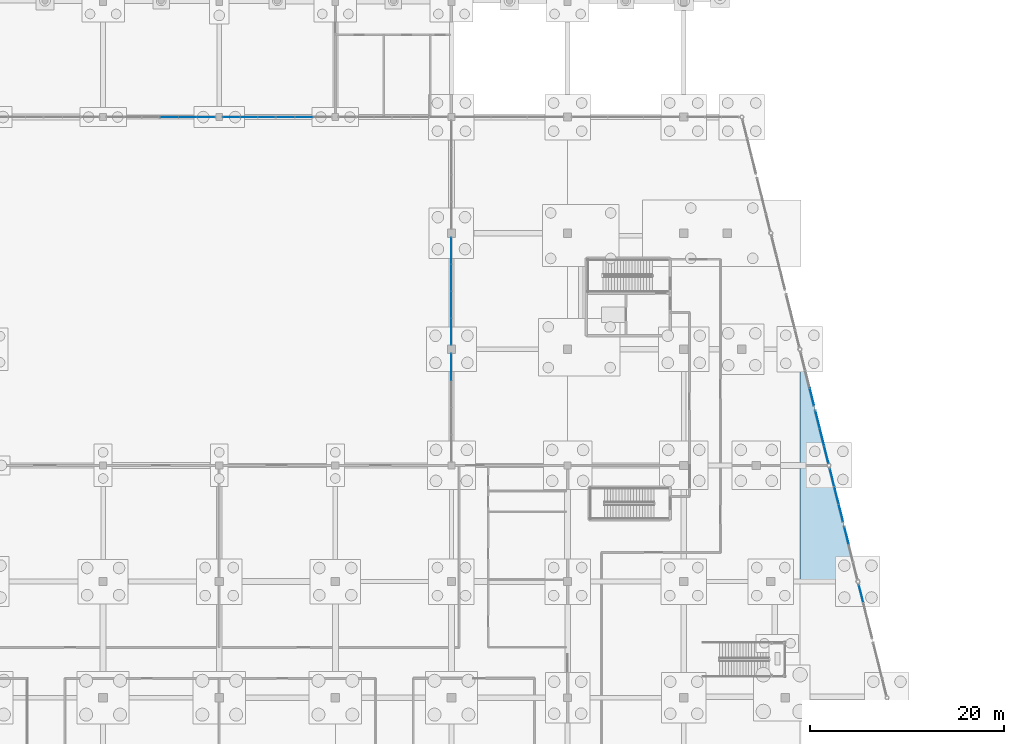
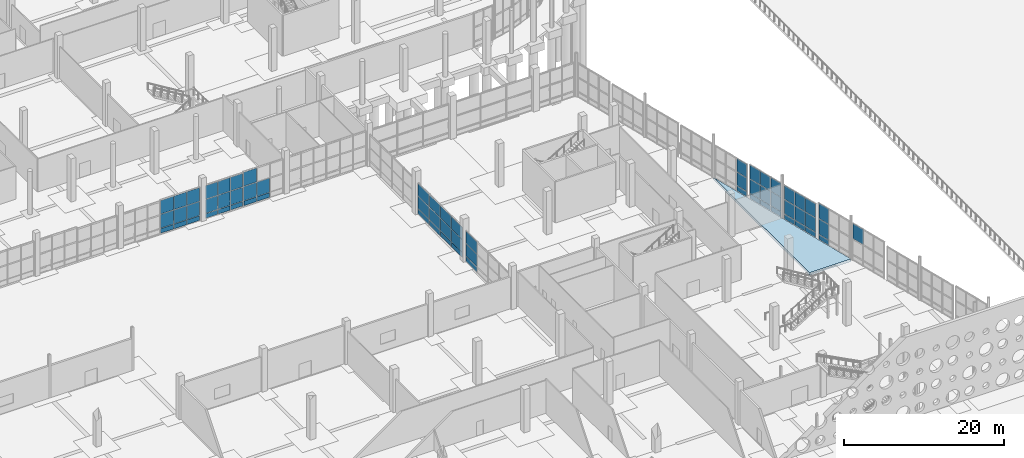
# One storey, part 67 of 117: 63 plates, 1 slab, 10 elements without a shape of their own.
"""IFC4 building model written with IfcOpenShell, lengths in metres."""

from ifc_helpers import new_model, si_unit, direction, frame, origin, origin_2d, place, context, subcontext, project, spatial, polyline, rectangle, outline, extrude, material, layer, layer_set, type_object, element, aggregate, save


model = new_model("IFC4")

# Units and contexts
model_context = context("Model", 3, precision=1e-05, world=origin(), true_north=direction((0.0, 1.0)))
body_context = subcontext(model_context, "Body", "Model", "MODEL_VIEW")
ifc_project = project(units=[si_unit("LENGTHUNIT", "METRE"), si_unit("AREAUNIT", "SQUARE_METRE"), si_unit("VOLUMEUNIT", "CUBIC_METRE"), si_unit("PLANEANGLEUNIT", "RADIAN"), si_unit("MASSUNIT", "GRAM", prefix="KILO")], contexts=[model_context])

# Site, building, storey
site_placement = place(None, origin())
site = spatial("IfcSite", under=ifc_project, at=site_placement, CompositionType="ELEMENT")
building_placement = place(site_placement, origin())
building = spatial("IfcBuilding", under=site, at=building_placement, Name="Kamomehara Wholesale Market", CompositionType="ELEMENT")
storey_placement = place(building_placement, origin())
storey = spatial("IfcBuildingStorey", under=building, at=storey_placement, Name="L00", CompositionType="ELEMENT", Elevation=0.0)

# Curtain wall, plates
ifc_material_1 = material(Name="Anodised aluminium 6063-T5", Category="aluminium")
curtain_wall_type_1 = type_object("IfcCurtainWallType", Name="CW-UN-03", PredefinedType="NOTDEFINED", material=ifc_material_1)
curtain_wall_1_placement = place(storey_placement, origin())
curtain_wall_1 = element("IfcCurtainWall", 1, at=curtain_wall_1_placement, inside=storey, type_object=curtain_wall_type_1, Name="Unitised curtain wall CW-023", PredefinedType="NOTDEFINED")
ifc_material_2 = material(Name="Solar-control Low-E double glazing", Category="glass")
ifc_layer_1 = layer(ifc_material_2, 0.028076171875)
ifc_layer_set_1 = layer_set([ifc_layer_1], Name="Solar-control Low-E double glazing")
plate_type_1 = type_object("IfcPlateType", Name="CW-PNL-GLZ", PredefinedType="CURTAIN_PANEL", material=ifc_layer_set_1)
plate_1_placement = place(storey_placement, frame((130.64990234375, 95.97998046875, 0.83056640625), z_axis=(0.0, 0.0, 1.0), x_axis=(-1.0, 0.0, 0.0)))
plate_1 = element("IfcPlate", 2, at=plate_1_placement, type_object=plate_type_1, Name="Curtain panel CW-023.0.1", PredefinedType="CURTAIN_PANEL", context=body_context, shape_type="SweptSolid", body=[
    extrude(rectangle(XDim=1.820068359375, YDim=0.028076171875, at=origin_2d()), origin(), (0.0, 0.0, 1.0), 2.10888671875),
])
plate_2_placement = place(storey_placement, frame((130.64990234375, 95.97998046875, 2.99951171875), z_axis=(0.0, 0.0, 1.0), x_axis=(-1.0, 0.0, 0.0)))
plate_2 = element("IfcPlate", 3, at=plate_2_placement, type_object=plate_type_1, Name="Curtain panel CW-023.0.2", PredefinedType="CURTAIN_PANEL", context=body_context, shape_type="SweptSolid", body=[
    extrude(rectangle(XDim=1.820068359375, YDim=0.028076171875, at=origin_2d()), origin(), (0.0, 0.0, 1.0), 2.069091796875),
])
plate_3_placement = place(storey_placement, frame((128.75, 95.97998046875, 0.83056640625), z_axis=(0.0, 0.0, 1.0), x_axis=(-1.0, 0.0, 0.0)))
plate_3 = element("IfcPlate", 4, at=plate_3_placement, type_object=plate_type_1, Name="Curtain panel CW-023.1.1", PredefinedType="CURTAIN_PANEL", context=body_context, shape_type="SweptSolid", body=[
    extrude(rectangle(XDim=1.820068359375, YDim=0.028076171875, at=origin_2d()), origin(), (0.0, 0.0, 1.0), 2.10888671875),
])
plate_4_placement = place(storey_placement, frame((128.75, 95.97998046875, 2.99951171875), z_axis=(0.0, 0.0, 1.0), x_axis=(-1.0, 0.0, 0.0)))
plate_4 = element("IfcPlate", 5, at=plate_4_placement, type_object=plate_type_1, Name="Curtain panel CW-023.1.2", PredefinedType="CURTAIN_PANEL", context=body_context, shape_type="SweptSolid", body=[
    extrude(rectangle(XDim=1.820068359375, YDim=0.028076171875, at=origin_2d()), origin(), (0.0, 0.0, 1.0), 2.069091796875),
])
plate_5_placement = place(storey_placement, frame((126.85009765625, 95.97998046875, 0.83056640625), z_axis=(0.0, 0.0, 1.0), x_axis=(-1.0, 0.0, 0.0)))
plate_5 = element("IfcPlate", 6, at=plate_5_placement, type_object=plate_type_1, Name="Curtain panel CW-023.2.1", PredefinedType="CURTAIN_PANEL", context=body_context, shape_type="SweptSolid", body=[
    extrude(rectangle(XDim=1.820068359375, YDim=0.028076171875, at=origin_2d()), origin(), (0.0, 0.0, 1.0), 2.10888671875),
])
plate_6_placement = place(storey_placement, frame((126.85009765625, 95.97998046875, 2.99951171875), z_axis=(0.0, 0.0, 1.0), x_axis=(-1.0, 0.0, 0.0)))
plate_6 = element("IfcPlate", 7, at=plate_6_placement, type_object=plate_type_1, Name="Curtain panel CW-023.2.2", PredefinedType="CURTAIN_PANEL", context=body_context, shape_type="SweptSolid", body=[
    extrude(rectangle(XDim=1.820068359375, YDim=0.028076171875, at=origin_2d()), origin(), (0.0, 0.0, 1.0), 2.069091796875),
])

curtain_wall_2_placement = place(storey_placement, origin())
curtain_wall_2 = element("IfcCurtainWall", 8, at=curtain_wall_2_placement, inside=storey, type_object=curtain_wall_type_1, Name="Unitised curtain wall CW-025", PredefinedType="NOTDEFINED")
plate_7_placement = place(storey_placement, frame((140.75, 95.97998046875, 0.82958984375), z_axis=(0.0, 0.0, 1.0), x_axis=(-1.0, 0.0, 0.0)))
plate_7 = element("IfcPlate", 9, at=plate_7_placement, type_object=plate_type_1, Name="Curtain panel CW-025.1.1", PredefinedType="CURTAIN_PANEL", context=body_context, shape_type="SweptSolid", body=[
    extrude(rectangle(XDim=1.820068359375, YDim=0.028076171875, at=origin_2d()), origin(), (0.0, 0.0, 1.0), 2.158935546875),
])
plate_8_placement = place(storey_placement, frame((138.85009765625, 95.97998046875, 0.82958984375), z_axis=(0.0, 0.0, 1.0), x_axis=(-1.0, 0.0, 0.0)))
plate_8 = element("IfcPlate", 10, at=plate_8_placement, type_object=plate_type_1, Name="Curtain panel CW-025.2.1", PredefinedType="CURTAIN_PANEL", context=body_context, shape_type="SweptSolid", body=[
    extrude(rectangle(XDim=1.820068359375, YDim=0.028076171875, at=origin_2d()), origin(), (0.0, 0.0, 1.0), 2.158935546875),
])
plate_9_placement = place(storey_placement, frame((138.85009765625, 95.97998046875, 3.04931640625), z_axis=(0.0, 0.0, 1.0), x_axis=(-1.0, 0.0, 0.0)))
plate_9 = element("IfcPlate", 11, at=plate_9_placement, type_object=plate_type_1, Name="Curtain panel CW-025.2.2", PredefinedType="CURTAIN_PANEL", context=body_context, shape_type="SweptSolid", body=[
    extrude(rectangle(XDim=1.820068359375, YDim=0.028076171875, at=origin_2d()), origin(), (0.0, 0.0, 1.0), 2.118896484375),
])

curtain_wall_3_placement = place(storey_placement, origin())
curtain_wall_3 = element("IfcCurtainWall", 12, at=curtain_wall_3_placement, inside=storey, type_object=curtain_wall_type_1, Name="Unitised curtain wall CW-026", PredefinedType="NOTDEFINED")
plate_10_placement = place(storey_placement, frame((136.89306640625, 95.97998046875, 0.83056640625), z_axis=(0.0, 0.0, 1.0), x_axis=(-1.0, 0.0, 0.0)))
plate_10 = element("IfcPlate", 13, at=plate_10_placement, type_object=plate_type_1, Name="Curtain panel CW-026.0.1", PredefinedType="CURTAIN_PANEL", context=body_context, shape_type="SweptSolid", body=[
    extrude(rectangle(XDim=1.73291015625, YDim=0.028076171875, at=origin_2d()), origin(), (0.0, 0.0, 1.0), 2.10888671875),
])
plate_11_placement = place(storey_placement, frame((136.89306640625, 95.97998046875, 2.99951171875), z_axis=(0.0, 0.0, 1.0), x_axis=(-1.0, 0.0, 0.0)))
plate_11 = element("IfcPlate", 14, at=plate_11_placement, type_object=plate_type_1, Name="Curtain panel CW-026.0.2", PredefinedType="CURTAIN_PANEL", context=body_context, shape_type="SweptSolid", body=[
    extrude(rectangle(XDim=1.73291015625, YDim=0.028076171875, at=origin_2d()), origin(), (0.0, 0.0, 1.0), 2.069091796875),
])
plate_12_placement = place(storey_placement, frame((135.080078125, 95.97998046875, 0.83056640625), z_axis=(0.0, 0.0, 1.0), x_axis=(-1.0, 0.0, 0.0)))
plate_12 = element("IfcPlate", 15, at=plate_12_placement, type_object=plate_type_1, Name="Curtain panel CW-026.1.1", PredefinedType="CURTAIN_PANEL", context=body_context, shape_type="SweptSolid", body=[
    extrude(rectangle(XDim=1.73291015625, YDim=0.028076171875, at=origin_2d()), origin(), (0.0, 0.0, 1.0), 2.10888671875),
])
plate_13_placement = place(storey_placement, frame((135.080078125, 95.97998046875, 2.99951171875), z_axis=(0.0, 0.0, 1.0), x_axis=(-1.0, 0.0, 0.0)))
plate_13 = element("IfcPlate", 16, at=plate_13_placement, type_object=plate_type_1, Name="Curtain panel CW-026.1.2", PredefinedType="CURTAIN_PANEL", context=body_context, shape_type="SweptSolid", body=[
    extrude(rectangle(XDim=1.73291015625, YDim=0.028076171875, at=origin_2d()), origin(), (0.0, 0.0, 1.0), 2.069091796875),
])
plate_14_placement = place(storey_placement, frame((133.26708984375, 95.97998046875, 0.83056640625), z_axis=(0.0, 0.0, 1.0), x_axis=(-1.0, 0.0, 0.0)))
plate_14 = element("IfcPlate", 17, at=plate_14_placement, type_object=plate_type_1, Name="Curtain panel CW-026.2.1", PredefinedType="CURTAIN_PANEL", context=body_context, shape_type="SweptSolid", body=[
    extrude(rectangle(XDim=1.73291015625, YDim=0.028076171875, at=origin_2d()), origin(), (0.0, 0.0, 1.0), 2.10888671875),
])
plate_15_placement = place(storey_placement, frame((133.26708984375, 95.97998046875, 2.99951171875), z_axis=(0.0, 0.0, 1.0), x_axis=(-1.0, 0.0, 0.0)))
plate_15 = element("IfcPlate", 18, at=plate_15_placement, type_object=plate_type_1, Name="Curtain panel CW-026.2.2", PredefinedType="CURTAIN_PANEL", context=body_context, shape_type="SweptSolid", body=[
    extrude(rectangle(XDim=1.73291015625, YDim=0.028076171875, at=origin_2d()), origin(), (0.0, 0.0, 1.0), 2.069091796875),
])

# Curtain wall, plate
ifc_material_3 = material(Name="Anodised aluminium 6063-T5", Category="aluminium")
curtain_wall_type_2 = type_object("IfcCurtainWallType", Name="CW-UN-09", PredefinedType="NOTDEFINED", material=ifc_material_3)
curtain_wall_4_placement = place(storey_placement, origin())
curtain_wall_4 = element("IfcCurtainWall", 19, at=curtain_wall_4_placement, inside=storey, type_object=curtain_wall_type_2, Name="Unitised curtain wall CW-161", PredefinedType="NOTDEFINED")
plate_16_placement = place(storey_placement, frame((198.333984375, 46.74609375, 3.2900390625), z_axis=(0.0, 0.0, 1.0), x_axis=(0.242616162662, -0.970122362187, 0.0)))
plate_16 = element("IfcPlate", 20, at=plate_16_placement, type_object=plate_type_1, Name="Curtain panel CW-161.0.2", PredefinedType="CURTAIN_PANEL", context=body_context, shape_type="SweptSolid", body=[
    extrude(rectangle(XDim=1.81494140625, YDim=0.028076171875, at=origin_2d()), origin(), (0.0, 0.0, 1.0), 2.31005859375),
])
aggregate(curtain_wall_4, [plate_16])

# Curtain wall, plates
curtain_wall_5_placement = place(storey_placement, origin())
curtain_wall_5 = element("IfcCurtainWall", 21, at=curtain_wall_5_placement, inside=storey, type_object=curtain_wall_type_2, Name="Unitised curtain wall CW-163", PredefinedType="NOTDEFINED")
plate_17_placement = place(storey_placement, frame((195.333984375, 58.74609375, 0.8798828125), z_axis=(0.0, 0.0, 1.0), x_axis=(0.242616162662, -0.970122362187, 0.0)))
plate_17 = element("IfcPlate", 22, at=plate_17_placement, type_object=plate_type_1, Name="Curtain panel CW-163.0.1", PredefinedType="CURTAIN_PANEL", context=body_context, shape_type="SweptSolid", body=[
    extrude(rectangle(XDim=1.81494140625, YDim=0.028076171875, at=origin_2d()), origin(), (0.0, 0.0, 1.0), 2.154052734375),
])
plate_18_placement = place(storey_placement, frame((195.333984375, 58.74609375, 3.09375), z_axis=(0.0, 0.0, 1.0), x_axis=(0.242616162662, -0.970122362187, 0.0)))
plate_18 = element("IfcPlate", 23, at=plate_18_placement, type_object=plate_type_1, Name="Curtain panel CW-163.0.2", PredefinedType="CURTAIN_PANEL", context=body_context, shape_type="SweptSolid", body=[
    extrude(rectangle(XDim=1.81494140625, YDim=0.028076171875, at=origin_2d()), origin(), (0.0, 0.0, 1.0), 2.114013671875),
])
plate_19_placement = place(storey_placement, frame((195.7939453125, 56.907958984375, 0.8798828125), z_axis=(0.0, 0.0, 1.0), x_axis=(0.242616162662, -0.970122362187, 0.0)))
plate_19 = element("IfcPlate", 24, at=plate_19_placement, type_object=plate_type_1, Name="Curtain panel CW-163.1.1", PredefinedType="CURTAIN_PANEL", context=body_context, shape_type="SweptSolid", body=[
    extrude(rectangle(XDim=1.81494140625, YDim=0.028076171875, at=origin_2d()), origin(), (0.0, 0.0, 1.0), 2.154052734375),
])
plate_20_placement = place(storey_placement, frame((195.7939453125, 56.907958984375, 3.09375), z_axis=(0.0, 0.0, 1.0), x_axis=(0.242616162662, -0.970122362187, 0.0)))
plate_20 = element("IfcPlate", 25, at=plate_20_placement, type_object=plate_type_1, Name="Curtain panel CW-163.1.2", PredefinedType="CURTAIN_PANEL", context=body_context, shape_type="SweptSolid", body=[
    extrude(rectangle(XDim=1.81494140625, YDim=0.028076171875, at=origin_2d()), origin(), (0.0, 0.0, 1.0), 2.114013671875),
])
plate_21_placement = place(storey_placement, frame((196.25390625, 55.070068359375, 0.8798828125), z_axis=(0.0, 0.0, 1.0), x_axis=(0.242616162662, -0.970122362187, 0.0)))
plate_21 = element("IfcPlate", 26, at=plate_21_placement, type_object=plate_type_1, Name="Curtain panel CW-163.2.1", PredefinedType="CURTAIN_PANEL", context=body_context, shape_type="SweptSolid", body=[
    extrude(rectangle(XDim=1.81494140625, YDim=0.028076171875, at=origin_2d()), origin(), (0.0, 0.0, 1.0), 2.154052734375),
])
plate_22_placement = place(storey_placement, frame((196.25390625, 55.070068359375, 3.09375), z_axis=(0.0, 0.0, 1.0), x_axis=(0.242616162662, -0.970122362187, 0.0)))
plate_22 = element("IfcPlate", 27, at=plate_22_placement, type_object=plate_type_1, Name="Curtain panel CW-163.2.2", PredefinedType="CURTAIN_PANEL", context=body_context, shape_type="SweptSolid", body=[
    extrude(rectangle(XDim=1.81494140625, YDim=0.028076171875, at=origin_2d()), origin(), (0.0, 0.0, 1.0), 2.114013671875),
])

curtain_wall_6_placement = place(storey_placement, origin())
curtain_wall_6 = element("IfcCurtainWall", 28, at=curtain_wall_6_placement, inside=storey, type_object=curtain_wall_type_2, Name="Unitised curtain wall CW-164", PredefinedType="NOTDEFINED")
plate_23_placement = place(storey_placement, frame((196.83203125, 52.756103515625, 0.8798828125), z_axis=(0.0, 0.0, 1.0), x_axis=(0.242497638046, -0.970151996103, 0.0)))
plate_23 = element("IfcPlate", 29, at=plate_23_placement, type_object=plate_type_1, Name="Curtain panel CW-164.0.1", PredefinedType="CURTAIN_PANEL", context=body_context, shape_type="SweptSolid", body=[
    extrude(rectangle(XDim=1.7939453125, YDim=0.028076171875, at=origin_2d()), origin(), (0.0, 0.0, 1.0), 2.35009765625),
])
plate_24_placement = place(storey_placement, frame((196.83203125, 52.756103515625, 3.2900390625), z_axis=(0.0, 0.0, 1.0), x_axis=(0.242497638046, -0.970151996103, 0.0)))
plate_24 = element("IfcPlate", 30, at=plate_24_placement, type_object=plate_type_1, Name="Curtain panel CW-164.0.2", PredefinedType="CURTAIN_PANEL", context=body_context, shape_type="SweptSolid", body=[
    extrude(rectangle(XDim=1.7939453125, YDim=0.028076171875, at=origin_2d()), origin(), (0.0, 0.0, 1.0), 2.31005859375),
])

curtain_wall_7_placement = place(storey_placement, origin())
curtain_wall_7 = element("IfcCurtainWall", 31, at=curtain_wall_7_placement, inside=storey, type_object=curtain_wall_type_2, Name="Unitised curtain wall CW-165", PredefinedType="NOTDEFINED")
plate_25_placement = place(storey_placement, frame((193.25390625, 67.070068359375, 0.8798828125), z_axis=(0.0, 0.0, 1.0), x_axis=(0.242616162662, -0.970122362187, 0.0)))
plate_25 = element("IfcPlate", 32, at=plate_25_placement, type_object=plate_type_1, Name="Curtain panel CW-165.2.1", PredefinedType="CURTAIN_PANEL", context=body_context, shape_type="SweptSolid", body=[
    extrude(rectangle(XDim=1.81494140625, YDim=0.028076171875, at=origin_2d()), origin(), (0.0, 0.0, 1.0), 2.053955078125),
])
plate_26_placement = place(storey_placement, frame((193.25390625, 67.070068359375, 2.994140625), z_axis=(0.0, 0.0, 1.0), x_axis=(0.242616162662, -0.970122362187, 0.0)))
plate_26 = element("IfcPlate", 33, at=plate_26_placement, type_object=plate_type_1, Name="Curtain panel CW-165.2.2", PredefinedType="CURTAIN_PANEL", context=body_context, shape_type="SweptSolid", body=[
    extrude(rectangle(XDim=1.81494140625, YDim=0.028076171875, at=origin_2d()), origin(), (0.0, 0.0, 1.0), 2.013916015625),
])

curtain_wall_8_placement = place(storey_placement, origin())
curtain_wall_8 = element("IfcCurtainWall", 34, at=curtain_wall_8_placement, inside=storey, type_object=curtain_wall_type_2, Name="Unitised curtain wall CW-166", PredefinedType="NOTDEFINED")
plate_27_placement = place(storey_placement, frame((193.83203125, 64.756103515625, 0.8798828125), z_axis=(0.0, 0.0, 1.0), x_axis=(0.242497638046, -0.970151996103, 0.0)))
plate_27 = element("IfcPlate", 35, at=plate_27_placement, type_object=plate_type_1, Name="Curtain panel CW-166.0.1", PredefinedType="CURTAIN_PANEL", context=body_context, shape_type="SweptSolid", body=[
    extrude(rectangle(XDim=1.7939453125, YDim=0.028076171875, at=origin_2d()), origin(), (0.0, 0.0, 1.0), 2.154052734375),
])
plate_28_placement = place(storey_placement, frame((193.83203125, 64.756103515625, 3.09375), z_axis=(0.0, 0.0, 1.0), x_axis=(0.242497638046, -0.970151996103, 0.0)))
plate_28 = element("IfcPlate", 36, at=plate_28_placement, type_object=plate_type_1, Name="Curtain panel CW-166.0.2", PredefinedType="CURTAIN_PANEL", context=body_context, shape_type="SweptSolid", body=[
    extrude(rectangle(XDim=1.7939453125, YDim=0.028076171875, at=origin_2d()), origin(), (0.0, 0.0, 1.0), 2.114013671875),
])
plate_29_placement = place(storey_placement, frame((194.285888671875, 62.93798828125, 0.8798828125), z_axis=(0.0, 0.0, 1.0), x_axis=(0.242497638046, -0.970151996103, 0.0)))
plate_29 = element("IfcPlate", 37, at=plate_29_placement, type_object=plate_type_1, Name="Curtain panel CW-166.1.1", PredefinedType="CURTAIN_PANEL", context=body_context, shape_type="SweptSolid", body=[
    extrude(rectangle(XDim=1.7939453125, YDim=0.028076171875, at=origin_2d()), origin(), (0.0, 0.0, 1.0), 2.154052734375),
])
plate_30_placement = place(storey_placement, frame((194.285888671875, 62.93798828125, 3.09375), z_axis=(0.0, 0.0, 1.0), x_axis=(0.242497638046, -0.970151996103, 0.0)))
plate_30 = element("IfcPlate", 38, at=plate_30_placement, type_object=plate_type_1, Name="Curtain panel CW-166.1.2", PredefinedType="CURTAIN_PANEL", context=body_context, shape_type="SweptSolid", body=[
    extrude(rectangle(XDim=1.7939453125, YDim=0.028076171875, at=origin_2d()), origin(), (0.0, 0.0, 1.0), 2.114013671875),
])
plate_31_placement = place(storey_placement, frame((194.739990234375, 61.12109375, 0.8798828125), z_axis=(0.0, 0.0, 1.0), x_axis=(0.242497638046, -0.970151996103, 0.0)))
plate_31 = element("IfcPlate", 39, at=plate_31_placement, type_object=plate_type_1, Name="Curtain panel CW-166.2.1", PredefinedType="CURTAIN_PANEL", context=body_context, shape_type="SweptSolid", body=[
    extrude(rectangle(XDim=1.7939453125, YDim=0.028076171875, at=origin_2d()), origin(), (0.0, 0.0, 1.0), 2.154052734375),
])
plate_32_placement = place(storey_placement, frame((194.739990234375, 61.12109375, 3.09375), z_axis=(0.0, 0.0, 1.0), x_axis=(0.242497638046, -0.970151996103, 0.0)))
plate_32 = element("IfcPlate", 40, at=plate_32_placement, type_object=plate_type_1, Name="Curtain panel CW-166.2.2", PredefinedType="CURTAIN_PANEL", context=body_context, shape_type="SweptSolid", body=[
    extrude(rectangle(XDim=1.7939453125, YDim=0.028076171875, at=origin_2d()), origin(), (0.0, 0.0, 1.0), 2.114013671875),
])

ifc_material_4 = material(Name="Anodised aluminium 6063-T5", Category="aluminium")
curtain_wall_type_3 = type_object("IfcCurtainWallType", Name="CW-UN-01", PredefinedType="NOTDEFINED", material=ifc_material_4)
curtain_wall_9_placement = place(storey_placement, origin())
curtain_wall_9 = element("IfcCurtainWall", 41, at=curtain_wall_9_placement, inside=storey, type_object=curtain_wall_type_3, Name="Unitised curtain wall CW-174", PredefinedType="NOTDEFINED")
plate_33_placement = place(storey_placement, frame((155.97998046875, 70.1669921875, 0.88037109375), z_axis=(0.0, 0.0, 1.0), x_axis=(0.0, 1.0, 0.0)))
plate_33 = element("IfcPlate", 42, at=plate_33_placement, type_object=plate_type_1, Name="Curtain panel CW-174.3.1", PredefinedType="CURTAIN_PANEL", context=body_context, shape_type="SweptSolid", body=[
    extrude(rectangle(XDim=2.715087890625, YDim=0.028076171875, at=origin_2d()), origin(), (0.0, 0.0, 1.0), 1.888916015625),
])
plate_34_placement = place(storey_placement, frame((155.97998046875, 70.1669921875, 2.828369140625), z_axis=(0.0, 0.0, 1.0), x_axis=(0.0, 1.0, 0.0)))
plate_34 = element("IfcPlate", 43, at=plate_34_placement, type_object=plate_type_1, Name="Curtain panel CW-174.3.2", PredefinedType="CURTAIN_PANEL", context=body_context, shape_type="SweptSolid", body=[
    extrude(rectangle(XDim=2.715087890625, YDim=0.028076171875, at=origin_2d()), origin(), (0.0, 0.0, 1.0), 1.84912109375),
])

curtain_wall_10_placement = place(storey_placement, origin())
curtain_wall_10 = element("IfcCurtainWall", 44, at=curtain_wall_10_placement, inside=storey, type_object=curtain_wall_type_3, Name="Unitised curtain wall CW-175", PredefinedType="NOTDEFINED")
plate_35_placement = place(storey_placement, frame((155.97998046875, 73.825927734375, 0.88037109375), z_axis=(0.0, 0.0, 1.0), x_axis=(0.0, 1.0, 0.0)))
plate_35 = element("IfcPlate", 45, at=plate_35_placement, type_object=plate_type_1, Name="Curtain panel CW-175.0.1", PredefinedType="CURTAIN_PANEL", context=body_context, shape_type="SweptSolid", body=[
    extrude(rectangle(XDim=2.701904296875, YDim=0.028076171875, at=origin_2d()), origin(), (0.0, 0.0, 1.0), 1.888916015625),
])
plate_36_placement = place(storey_placement, frame((155.97998046875, 73.825927734375, 2.828369140625), z_axis=(0.0, 0.0, 1.0), x_axis=(0.0, 1.0, 0.0)))
plate_36 = element("IfcPlate", 46, at=plate_36_placement, type_object=plate_type_1, Name="Curtain panel CW-175.0.2", PredefinedType="CURTAIN_PANEL", context=body_context, shape_type="SweptSolid", body=[
    extrude(rectangle(XDim=2.701904296875, YDim=0.028076171875, at=origin_2d()), origin(), (0.0, 0.0, 1.0), 1.84912109375),
])
plate_37_placement = place(storey_placement, frame((155.97998046875, 76.60888671875, 0.88037109375), z_axis=(0.0, 0.0, 1.0), x_axis=(0.0, 1.0, 0.0)))
plate_37 = element("IfcPlate", 47, at=plate_37_placement, type_object=plate_type_1, Name="Curtain panel CW-175.1.1", PredefinedType="CURTAIN_PANEL", context=body_context, shape_type="SweptSolid", body=[
    extrude(rectangle(XDim=2.701904296875, YDim=0.028076171875, at=origin_2d()), origin(), (0.0, 0.0, 1.0), 1.888916015625),
])
plate_38_placement = place(storey_placement, frame((155.97998046875, 76.60888671875, 2.828369140625), z_axis=(0.0, 0.0, 1.0), x_axis=(0.0, 1.0, 0.0)))
plate_38 = element("IfcPlate", 48, at=plate_38_placement, type_object=plate_type_1, Name="Curtain panel CW-175.1.2", PredefinedType="CURTAIN_PANEL", context=body_context, shape_type="SweptSolid", body=[
    extrude(rectangle(XDim=2.701904296875, YDim=0.028076171875, at=origin_2d()), origin(), (0.0, 0.0, 1.0), 1.84912109375),
])
plate_39_placement = place(storey_placement, frame((155.97998046875, 79.39111328125, 0.88037109375), z_axis=(0.0, 0.0, 1.0), x_axis=(0.0, 1.0, 0.0)))
plate_39 = element("IfcPlate", 49, at=plate_39_placement, type_object=plate_type_1, Name="Curtain panel CW-175.2.1", PredefinedType="CURTAIN_PANEL", context=body_context, shape_type="SweptSolid", body=[
    extrude(rectangle(XDim=2.701904296875, YDim=0.028076171875, at=origin_2d()), origin(), (0.0, 0.0, 1.0), 1.888916015625),
])
plate_40_placement = place(storey_placement, frame((155.97998046875, 79.39111328125, 2.828369140625), z_axis=(0.0, 0.0, 1.0), x_axis=(0.0, 1.0, 0.0)))
plate_40 = element("IfcPlate", 50, at=plate_40_placement, type_object=plate_type_1, Name="Curtain panel CW-175.2.2", PredefinedType="CURTAIN_PANEL", context=body_context, shape_type="SweptSolid", body=[
    extrude(rectangle(XDim=2.701904296875, YDim=0.028076171875, at=origin_2d()), origin(), (0.0, 0.0, 1.0), 1.84912109375),
])
plate_41_placement = place(storey_placement, frame((155.97998046875, 82.174072265625, 0.88037109375), z_axis=(0.0, 0.0, 1.0), x_axis=(0.0, 1.0, 0.0)))
plate_41 = element("IfcPlate", 51, at=plate_41_placement, type_object=plate_type_1, Name="Curtain panel CW-175.3.1", PredefinedType="CURTAIN_PANEL", context=body_context, shape_type="SweptSolid", body=[
    extrude(rectangle(XDim=2.701904296875, YDim=0.028076171875, at=origin_2d()), origin(), (0.0, 0.0, 1.0), 1.888916015625),
])
plate_42_placement = place(storey_placement, frame((155.97998046875, 82.174072265625, 2.828369140625), z_axis=(0.0, 0.0, 1.0), x_axis=(0.0, 1.0, 0.0)))
plate_42 = element("IfcPlate", 52, at=plate_42_placement, type_object=plate_type_1, Name="Curtain panel CW-175.3.2", PredefinedType="CURTAIN_PANEL", context=body_context, shape_type="SweptSolid", body=[
    extrude(rectangle(XDim=2.701904296875, YDim=0.028076171875, at=origin_2d()), origin(), (0.0, 0.0, 1.0), 1.84912109375),
])

# Plate
ifc_material_5 = material(Name="Insulated aluminium spandrel panel", Category="aluminium")
ifc_layer_2 = layer(ifc_material_5, 0.0400390625)
ifc_layer_set_2 = layer_set([ifc_layer_2], Name="Insulated aluminium spandrel panel")
plate_type_2 = type_object("IfcPlateType", Name="CW-PNL-SPN", PredefinedType="CURTAIN_PANEL", material=ifc_layer_set_2)
plate_43_placement = place(storey_placement, frame((130.64990234375, 95.97998046875, 0.06982421875), z_axis=(0.0, 0.0, 1.0), x_axis=(-1.0, 0.0, 0.0)))
plate_43 = element("IfcPlate", 53, at=plate_43_placement, type_object=plate_type_2, Name="Curtain panel CW-023.0.0", PredefinedType="CURTAIN_PANEL", context=body_context, shape_type="SweptSolid", body=[
    extrude(rectangle(XDim=1.820068359375, YDim=0.0400390625, at=origin_2d()), origin(), (0.0, 0.0, 1.0), 0.699951171875),
])

plate_44_placement = place(storey_placement, frame((128.75, 95.97998046875, 0.06982421875), z_axis=(0.0, 0.0, 1.0), x_axis=(-1.0, 0.0, 0.0)))
plate_44 = element("IfcPlate", 54, at=plate_44_placement, type_object=plate_type_2, Name="Curtain panel CW-023.1.0", PredefinedType="CURTAIN_PANEL", context=body_context, shape_type="SweptSolid", body=[
    extrude(rectangle(XDim=1.820068359375, YDim=0.0400390625, at=origin_2d()), origin(), (0.0, 0.0, 1.0), 0.699951171875),
])

plate_45_placement = place(storey_placement, frame((126.85009765625, 95.97998046875, 0.06982421875), z_axis=(0.0, 0.0, 1.0), x_axis=(-1.0, 0.0, 0.0)))
plate_45 = element("IfcPlate", 55, at=plate_45_placement, type_object=plate_type_2, Name="Curtain panel CW-023.2.0", PredefinedType="CURTAIN_PANEL", context=body_context, shape_type="SweptSolid", body=[
    extrude(rectangle(XDim=1.820068359375, YDim=0.0400390625, at=origin_2d()), origin(), (0.0, 0.0, 1.0), 0.699951171875),
])

aggregate(curtain_wall_1, [plate_43, plate_1, plate_2, plate_44, plate_3, plate_4, plate_45, plate_5, plate_6])

plate_46_placement = place(storey_placement, frame((140.75, 95.97998046875, 0.06982421875), z_axis=(0.0, 0.0, 1.0), x_axis=(-1.0, 0.0, 0.0)))
plate_46 = element("IfcPlate", 56, at=plate_46_placement, type_object=plate_type_2, Name="Curtain panel CW-025.1.0", PredefinedType="CURTAIN_PANEL", context=body_context, shape_type="SweptSolid", body=[
    extrude(rectangle(XDim=1.820068359375, YDim=0.0400390625, at=origin_2d()), origin(), (0.0, 0.0, 1.0), 0.699951171875),
])

plate_47_placement = place(storey_placement, frame((138.85009765625, 95.97998046875, 0.06982421875), z_axis=(0.0, 0.0, 1.0), x_axis=(-1.0, 0.0, 0.0)))
plate_47 = element("IfcPlate", 57, at=plate_47_placement, type_object=plate_type_2, Name="Curtain panel CW-025.2.0", PredefinedType="CURTAIN_PANEL", context=body_context, shape_type="SweptSolid", body=[
    extrude(rectangle(XDim=1.820068359375, YDim=0.0400390625, at=origin_2d()), origin(), (0.0, 0.0, 1.0), 0.699951171875),
])

aggregate(curtain_wall_2, [plate_46, plate_7, plate_47, plate_8, plate_9])

plate_48_placement = place(storey_placement, frame((136.89306640625, 95.97998046875, 0.06982421875), z_axis=(0.0, 0.0, 1.0), x_axis=(-1.0, 0.0, 0.0)))
plate_48 = element("IfcPlate", 58, at=plate_48_placement, type_object=plate_type_2, Name="Curtain panel CW-026.0.0", PredefinedType="CURTAIN_PANEL", context=body_context, shape_type="SweptSolid", body=[
    extrude(rectangle(XDim=1.73291015625, YDim=0.0400390625, at=origin_2d()), origin(), (0.0, 0.0, 1.0), 0.699951171875),
])

plate_49_placement = place(storey_placement, frame((135.080078125, 95.97998046875, 0.06982421875), z_axis=(0.0, 0.0, 1.0), x_axis=(-1.0, 0.0, 0.0)))
plate_49 = element("IfcPlate", 59, at=plate_49_placement, type_object=plate_type_2, Name="Curtain panel CW-026.1.0", PredefinedType="CURTAIN_PANEL", context=body_context, shape_type="SweptSolid", body=[
    extrude(rectangle(XDim=1.73291015625, YDim=0.0400390625, at=origin_2d()), origin(), (0.0, 0.0, 1.0), 0.699951171875),
])

plate_50_placement = place(storey_placement, frame((133.26708984375, 95.97998046875, 0.06982421875), z_axis=(0.0, 0.0, 1.0), x_axis=(-1.0, 0.0, 0.0)))
plate_50 = element("IfcPlate", 60, at=plate_50_placement, type_object=plate_type_2, Name="Curtain panel CW-026.2.0", PredefinedType="CURTAIN_PANEL", context=body_context, shape_type="SweptSolid", body=[
    extrude(rectangle(XDim=1.73291015625, YDim=0.0400390625, at=origin_2d()), origin(), (0.0, 0.0, 1.0), 0.699951171875),
])

aggregate(curtain_wall_3, [plate_48, plate_10, plate_11, plate_49, plate_12, plate_13, plate_50, plate_14, plate_15])

plate_51_placement = place(storey_placement, frame((195.333984375, 58.74609375, 0.070068359375), z_axis=(0.0, 0.0, 1.0), x_axis=(0.242616162662, -0.970122362187, 0.0)))
plate_51 = element("IfcPlate", 61, at=plate_51_placement, type_object=plate_type_2, Name="Curtain panel CW-163.0.0", PredefinedType="CURTAIN_PANEL", context=body_context, shape_type="SweptSolid", body=[
    extrude(rectangle(XDim=1.81494140625, YDim=0.0400390625, at=origin_2d()), origin(), (0.0, 0.0, 1.0), 0.75),
])

plate_52_placement = place(storey_placement, frame((195.7939453125, 56.907958984375, 0.070068359375), z_axis=(0.0, 0.0, 1.0), x_axis=(0.242616162662, -0.970122362187, 0.0)))
plate_52 = element("IfcPlate", 62, at=plate_52_placement, type_object=plate_type_2, Name="Curtain panel CW-163.1.0", PredefinedType="CURTAIN_PANEL", context=body_context, shape_type="SweptSolid", body=[
    extrude(rectangle(XDim=1.81494140625, YDim=0.0400390625, at=origin_2d()), origin(), (0.0, 0.0, 1.0), 0.75),
])

plate_53_placement = place(storey_placement, frame((196.25390625, 55.070068359375, 0.070068359375), z_axis=(0.0, 0.0, 1.0), x_axis=(0.242616162662, -0.970122362187, 0.0)))
plate_53 = element("IfcPlate", 63, at=plate_53_placement, type_object=plate_type_2, Name="Curtain panel CW-163.2.0", PredefinedType="CURTAIN_PANEL", context=body_context, shape_type="SweptSolid", body=[
    extrude(rectangle(XDim=1.81494140625, YDim=0.0400390625, at=origin_2d()), origin(), (0.0, 0.0, 1.0), 0.75),
])

aggregate(curtain_wall_5, [plate_51, plate_17, plate_18, plate_52, plate_19, plate_20, plate_53, plate_21, plate_22])

plate_54_placement = place(storey_placement, frame((196.83203125, 52.756103515625, 0.070068359375), z_axis=(0.0, 0.0, 1.0), x_axis=(0.242497638046, -0.970151996103, 0.0)))
plate_54 = element("IfcPlate", 64, at=plate_54_placement, type_object=plate_type_2, Name="Curtain panel CW-164.0.0", PredefinedType="CURTAIN_PANEL", context=body_context, shape_type="SweptSolid", body=[
    extrude(rectangle(XDim=1.7939453125, YDim=0.0400390625, at=origin_2d()), origin(), (0.0, 0.0, 1.0), 0.75),
])

aggregate(curtain_wall_6, [plate_54, plate_23, plate_24])

plate_55_placement = place(storey_placement, frame((193.25390625, 67.070068359375, 0.070068359375), z_axis=(0.0, 0.0, 1.0), x_axis=(0.242616162662, -0.970122362187, 0.0)))
plate_55 = element("IfcPlate", 65, at=plate_55_placement, type_object=plate_type_2, Name="Curtain panel CW-165.2.0", PredefinedType="CURTAIN_PANEL", context=body_context, shape_type="SweptSolid", body=[
    extrude(rectangle(XDim=1.81494140625, YDim=0.0400390625, at=origin_2d()), origin(), (0.0, 0.0, 1.0), 0.75),
])

aggregate(curtain_wall_7, [plate_55, plate_25, plate_26])

plate_56_placement = place(storey_placement, frame((193.83203125, 64.756103515625, 0.070068359375), z_axis=(0.0, 0.0, 1.0), x_axis=(0.242497638046, -0.970151996103, 0.0)))
plate_56 = element("IfcPlate", 66, at=plate_56_placement, type_object=plate_type_2, Name="Curtain panel CW-166.0.0", PredefinedType="CURTAIN_PANEL", context=body_context, shape_type="SweptSolid", body=[
    extrude(rectangle(XDim=1.7939453125, YDim=0.0400390625, at=origin_2d()), origin(), (0.0, 0.0, 1.0), 0.75),
])

plate_57_placement = place(storey_placement, frame((194.285888671875, 62.93798828125, 0.070068359375), z_axis=(0.0, 0.0, 1.0), x_axis=(0.242497638046, -0.970151996103, 0.0)))
plate_57 = element("IfcPlate", 67, at=plate_57_placement, type_object=plate_type_2, Name="Curtain panel CW-166.1.0", PredefinedType="CURTAIN_PANEL", context=body_context, shape_type="SweptSolid", body=[
    extrude(rectangle(XDim=1.7939453125, YDim=0.0400390625, at=origin_2d()), origin(), (0.0, 0.0, 1.0), 0.75),
])

plate_58_placement = place(storey_placement, frame((194.739990234375, 61.12109375, 0.070068359375), z_axis=(0.0, 0.0, 1.0), x_axis=(0.242497638046, -0.970151996103, 0.0)))
plate_58 = element("IfcPlate", 68, at=plate_58_placement, type_object=plate_type_2, Name="Curtain panel CW-166.2.0", PredefinedType="CURTAIN_PANEL", context=body_context, shape_type="SweptSolid", body=[
    extrude(rectangle(XDim=1.7939453125, YDim=0.0400390625, at=origin_2d()), origin(), (0.0, 0.0, 1.0), 0.75),
])

aggregate(curtain_wall_8, [plate_56, plate_27, plate_28, plate_57, plate_29, plate_30, plate_58, plate_31, plate_32])

plate_59_placement = place(storey_placement, frame((155.97998046875, 70.1669921875, 0.070068359375), z_axis=(0.0, 0.0, 1.0), x_axis=(0.0, 1.0, 0.0)))
plate_59 = element("IfcPlate", 69, at=plate_59_placement, type_object=plate_type_2, Name="Curtain panel CW-174.3.0", PredefinedType="CURTAIN_PANEL", context=body_context, shape_type="SweptSolid", body=[
    extrude(rectangle(XDim=2.715087890625, YDim=0.0400390625, at=origin_2d()), origin(), (0.0, 0.0, 1.0), 0.75),
])

aggregate(curtain_wall_9, [plate_59, plate_33, plate_34])

plate_60_placement = place(storey_placement, frame((155.97998046875, 73.825927734375, 0.070068359375), z_axis=(0.0, 0.0, 1.0), x_axis=(0.0, 1.0, 0.0)))
plate_60 = element("IfcPlate", 70, at=plate_60_placement, type_object=plate_type_2, Name="Curtain panel CW-175.0.0", PredefinedType="CURTAIN_PANEL", context=body_context, shape_type="SweptSolid", body=[
    extrude(rectangle(XDim=2.701904296875, YDim=0.0400390625, at=origin_2d()), origin(), (0.0, 0.0, 1.0), 0.75),
])

plate_61_placement = place(storey_placement, frame((155.97998046875, 76.60888671875, 0.070068359375), z_axis=(0.0, 0.0, 1.0), x_axis=(0.0, 1.0, 0.0)))
plate_61 = element("IfcPlate", 71, at=plate_61_placement, type_object=plate_type_2, Name="Curtain panel CW-175.1.0", PredefinedType="CURTAIN_PANEL", context=body_context, shape_type="SweptSolid", body=[
    extrude(rectangle(XDim=2.701904296875, YDim=0.0400390625, at=origin_2d()), origin(), (0.0, 0.0, 1.0), 0.75),
])

plate_62_placement = place(storey_placement, frame((155.97998046875, 79.39111328125, 0.070068359375), z_axis=(0.0, 0.0, 1.0), x_axis=(0.0, 1.0, 0.0)))
plate_62 = element("IfcPlate", 72, at=plate_62_placement, type_object=plate_type_2, Name="Curtain panel CW-175.2.0", PredefinedType="CURTAIN_PANEL", context=body_context, shape_type="SweptSolid", body=[
    extrude(rectangle(XDim=2.701904296875, YDim=0.0400390625, at=origin_2d()), origin(), (0.0, 0.0, 1.0), 0.75),
])

plate_63_placement = place(storey_placement, frame((155.97998046875, 82.174072265625, 0.070068359375), z_axis=(0.0, 0.0, 1.0), x_axis=(0.0, 1.0, 0.0)))
plate_63 = element("IfcPlate", 73, at=plate_63_placement, type_object=plate_type_2, Name="Curtain panel CW-175.3.0", PredefinedType="CURTAIN_PANEL", context=body_context, shape_type="SweptSolid", body=[
    extrude(rectangle(XDim=2.701904296875, YDim=0.0400390625, at=origin_2d()), origin(), (0.0, 0.0, 1.0), 0.75),
])

aggregate(curtain_wall_10, [plate_60, plate_35, plate_36, plate_61, plate_37, plate_38, plate_62, plate_39, plate_40, plate_63, plate_41, plate_42])

# Slab
ifc_material_6 = material(Name="Concrete Fc30 (C30/37)", Category="concrete")
ifc_layer_3 = layer(ifc_material_6, 0.39990234375)
ifc_layer_set_3 = layer_set([ifc_layer_3], Name="Concrete Fc30 (C30/37)")
slab_type = type_object("IfcSlabType", Name="SLB-BASE-400", PredefinedType="BASESLAB", material=ifc_layer_set_3)
slab_placement = place(storey_placement, frame((0.0, 0.0, -0.39990234375)))
element("IfcSlab", 74, at=slab_placement, inside=storey, type_object=slab_type, Name="Floor slab V2 L00 63", PredefinedType="BASESLAB", context=body_context, shape_type="SweptSolid", body=[
    extrude(outline(polyline([(192.0, 48.0), (192.0, 72.0), (195.0, 60.0), (198.0, 48.0), (192.0, 48.0)])), origin(), (0.0, 0.0, 1.0), 0.39990234375),
])

save(model, "model.ifc")
